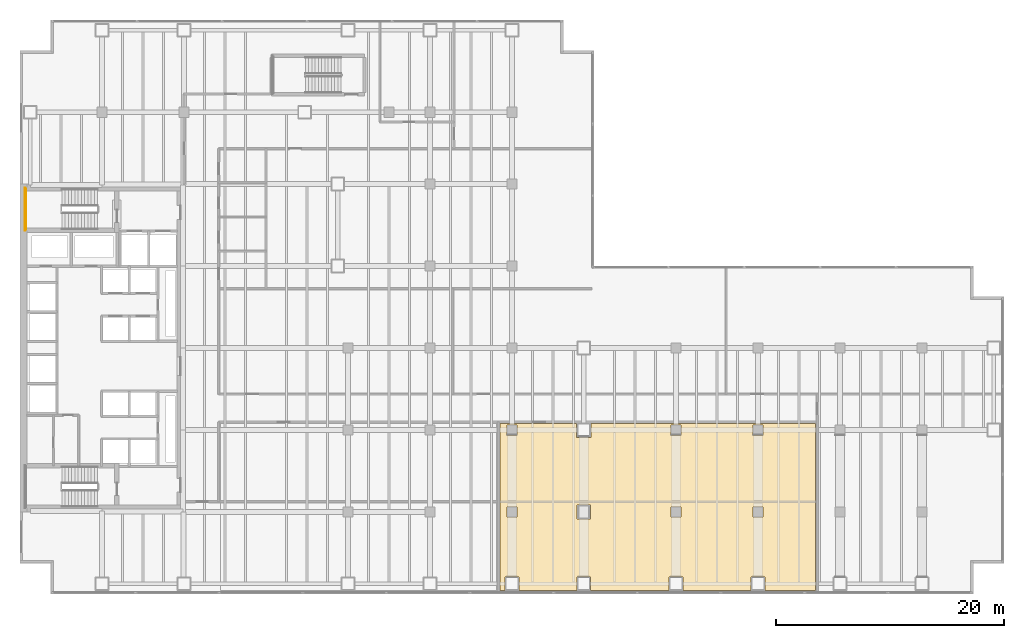
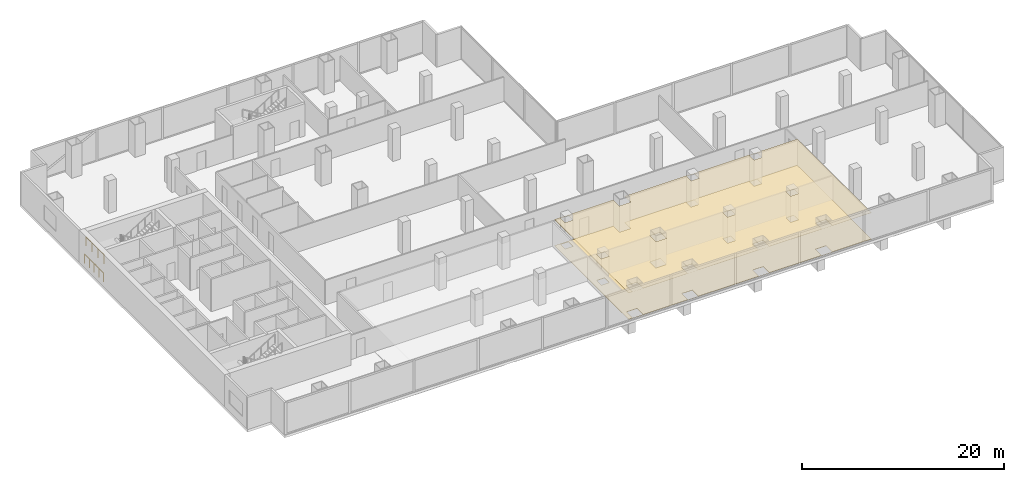
# One storey, part 33 of 34: 2 coverings, 2 railings.
"""IFC4 building model written with IfcOpenShell, lengths in metres."""

from ifc_helpers import new_model, si_unit, direction, frame, origin, origin_2d, place, context, subcontext, project, spatial, polyline, circle, outline, extrude, material, layer, layer_set, type_object, element, save


model = new_model("IFC4")

# Units and contexts
model_context = context("Model", 3, precision=1e-05, world=origin(), true_north=direction((0.0, 1.0)))
body_context = subcontext(model_context, "Body", "Model", "MODEL_VIEW")
ifc_project = project(units=[si_unit("LENGTHUNIT", "METRE"), si_unit("AREAUNIT", "SQUARE_METRE"), si_unit("VOLUMEUNIT", "CUBIC_METRE"), si_unit("PLANEANGLEUNIT", "RADIAN"), si_unit("MASSUNIT", "GRAM", prefix="KILO")], contexts=[model_context])

# Site, building, storey
site_placement = place(None, origin())
site = spatial("IfcSite", under=ifc_project, at=site_placement, CompositionType="ELEMENT")
building_placement = place(site_placement, origin())
building = spatial("IfcBuilding", under=site, at=building_placement, Name="Cobrela Telecom Tower", CompositionType="ELEMENT")
storey_placement = place(building_placement, frame((0.0, 0.0, 5.25)))
storey = spatial("IfcBuildingStorey", under=building, at=storey_placement, Name="L01", CompositionType="ELEMENT", Elevation=5.25)

# Coverings
ifc_material_1 = material(Name="Mineral Fibre Acoustic Ceiling Tile")
ifc_layer_1 = layer(ifc_material_1, 0.02490234375)
ifc_layer_set_1 = layer_set([ifc_layer_1], Name="Mineral Fibre Acoustic Ceiling Tile")
covering_type_1 = type_object("IfcCoveringType", Name="COV-CEIL-ACT", PredefinedType="CEILING", material=ifc_layer_set_1)
covering_1_placement = place(storey_placement, frame((0.0, 0.0, 3.179931640625)))
element("IfcCovering", 1, at=covering_1_placement, inside=storey, type_object=covering_type_1, Name="L01 Colocation Engineering Studio Suspended Acoustic Ceiling", PredefinedType="CEILING", context=body_context, shape_type="SweptSolid", body=[
    extrude(outline(polyline([(48.85009765625, 13.75), (50.14990234375, 13.75), (50.14990234375, 14.9599609375), (69.860107421875, 14.9599609375), (69.860107421875, 0.2900390625), (42.139892578125, 0.2900390625), (42.139892578125, 14.9599609375), (48.85009765625, 14.9599609375), (48.85009765625, 13.75)]), holes=[polyline([(48.89990234375, 0.300048828125), (50.10009765625, 0.300048828125), (50.10009765625, 1.5), (48.89990234375, 1.5), (48.89990234375, 0.300048828125)]), polyline([(42.60009765625, 0.300048828125), (43.800048828125, 0.300048828125), (43.800048828125, 1.5), (42.60009765625, 1.5), (42.60009765625, 0.300048828125)]), polyline([(50.10009765625, 6.60009765625), (50.10009765625, 7.800048828125), (48.89990234375, 7.800048828125), (48.89990234375, 6.60009765625), (50.10009765625, 6.60009765625)]), polyline([(42.75, 6.75), (43.64990234375, 6.75), (43.64990234375, 7.64990234375), (42.75, 7.64990234375), (42.75, 6.75)]), polyline([(42.75, 13.949951171875), (43.64990234375, 13.949951171875), (43.64990234375, 14.85009765625), (42.75, 14.85009765625), (42.75, 13.949951171875)]), polyline([(57.0, 0.300048828125), (58.199951171875, 0.300048828125), (58.199951171875, 1.5), (57.0, 1.5), (57.0, 0.300048828125)]), polyline([(64.199951171875, 0.300048828125), (65.39990234375, 0.300048828125), (65.39990234375, 1.5), (64.199951171875, 1.5), (64.199951171875, 0.300048828125)]), polyline([(58.050048828125, 6.75), (58.050048828125, 7.64990234375), (57.14990234375, 7.64990234375), (57.14990234375, 6.75), (58.050048828125, 6.75)]), polyline([(64.35009765625, 6.75), (65.25, 6.75), (65.25, 7.64990234375), (64.35009765625, 7.64990234375), (64.35009765625, 6.75)]), polyline([(64.35009765625, 13.949951171875), (65.25, 13.949951171875), (65.25, 14.85009765625), (64.35009765625, 14.85009765625), (64.35009765625, 13.949951171875)]), polyline([(57.14990234375, 13.949951171875), (58.050048828125, 13.949951171875), (58.050048828125, 14.85009765625), (57.14990234375, 14.85009765625), (57.14990234375, 13.949951171875)])]), origin(), (0.0, 0.0, 1.0), 0.025146484375),
])
ifc_material_2 = material(Name="Honed Colombian Basalt Stone", Category="masonry")
ifc_layer_2 = layer(ifc_material_2, 0.0400390625)
ifc_layer_set_2 = layer_set([ifc_layer_2], Name="Honed Colombian Basalt Stone")
covering_type_2 = type_object("IfcCoveringType", Name="COV-FLR-STONE", PredefinedType="FLOORING", material=ifc_layer_set_2)
covering_2_placement = place(storey_placement, origin())
element("IfcCovering", 2, at=covering_2_placement, inside=storey, type_object=covering_type_2, Name="L01 Colocation Engineering Studio Raised Technical Flooring", PredefinedType="FLOORING", context=body_context, shape_type="SweptSolid", body=[
    extrude(outline(polyline([(48.85009765625, 13.75), (50.14990234375, 13.75), (50.14990234375, 14.9599609375), (69.860107421875, 14.9599609375), (69.860107421875, 0.2900390625), (42.139892578125, 0.2900390625), (42.139892578125, 14.9599609375), (48.85009765625, 14.9599609375), (48.85009765625, 13.75)]), holes=[polyline([(48.89990234375, 0.300048828125), (50.10009765625, 0.300048828125), (50.10009765625, 1.5), (48.89990234375, 1.5), (48.89990234375, 0.300048828125)]), polyline([(42.60009765625, 0.300048828125), (43.800048828125, 0.300048828125), (43.800048828125, 1.5), (42.60009765625, 1.5), (42.60009765625, 0.300048828125)]), polyline([(50.10009765625, 6.60009765625), (50.10009765625, 7.800048828125), (48.89990234375, 7.800048828125), (48.89990234375, 6.60009765625), (50.10009765625, 6.60009765625)]), polyline([(42.75, 6.75), (43.64990234375, 6.75), (43.64990234375, 7.64990234375), (42.75, 7.64990234375), (42.75, 6.75)]), polyline([(42.75, 13.949951171875), (43.64990234375, 13.949951171875), (43.64990234375, 14.85009765625), (42.75, 14.85009765625), (42.75, 13.949951171875)]), polyline([(57.0, 0.300048828125), (58.199951171875, 0.300048828125), (58.199951171875, 1.5), (57.0, 1.5), (57.0, 0.300048828125)]), polyline([(64.199951171875, 0.300048828125), (65.39990234375, 0.300048828125), (65.39990234375, 1.5), (64.199951171875, 1.5), (64.199951171875, 0.300048828125)]), polyline([(58.050048828125, 6.75), (58.050048828125, 7.64990234375), (57.14990234375, 7.64990234375), (57.14990234375, 6.75), (58.050048828125, 6.75)]), polyline([(64.35009765625, 6.75), (65.25, 6.75), (65.25, 7.64990234375), (64.35009765625, 7.64990234375), (64.35009765625, 6.75)]), polyline([(64.35009765625, 13.949951171875), (65.25, 13.949951171875), (65.25, 14.85009765625), (64.35009765625, 14.85009765625), (64.35009765625, 13.949951171875)]), polyline([(57.14990234375, 13.949951171875), (58.050048828125, 13.949951171875), (58.050048828125, 14.85009765625), (57.14990234375, 14.85009765625), (57.14990234375, 13.949951171875)])]), origin(), (0.0, 0.0, 1.0), 0.0400390625),
])

# Railings
ifc_material_3 = material(Name="Steel ASTM A36", Category="steel")
railing_type = type_object("IfcRailingType", Name="RAIL-GUARD-1100", PredefinedType="GUARDRAIL", material=ifc_material_3)
railing_1_placement = place(storey_placement, frame((0.530029296875, 35.550048828125, 2.10009765625)))
element("IfcRailing", 3, at=railing_1_placement, inside=storey, type_object=railing_type, Name="L01 ST1 stair guard 3", PredefinedType="GUARDRAIL", context=body_context, shape_type="SweptSolid", body=[
    extrude(circle(Radius=0.02392578125, at=origin_2d()), frame((0.0, 0.0, 1.076171875), z_axis=(0.0, -1.0, 0.0), x_axis=(1.0, 0.0, 0.0)), (0.0, 0.0, 1.0), 3.550048828125),
    extrude(circle(Radius=0.02099609375, at=origin_2d()), origin(), (0.0, 0.0, 1.0), 1.052001953125),
    extrude(circle(Radius=0.02099609375, at=origin_2d()), frame((0.0, -1.183349609375, 0.0)), (0.0, 0.0, 1.0), 1.052001953125),
    extrude(circle(Radius=0.02099609375, at=origin_2d()), frame((0.0, -2.36669921875, 0.0)), (0.0, 0.0, 1.0), 1.052001953125),
    extrude(circle(Radius=0.02099609375, at=origin_2d()), frame((0.0, -3.550048828125, 0.0)), (0.0, 0.0, 1.0), 1.052001953125),
])
railing_2_placement = place(storey_placement, frame((0.429931640625, 35.64990234375, 0.0)))
element("IfcRailing", 4, at=railing_2_placement, inside=storey, type_object=railing_type, Name="L01 ST1 stair guard 6", PredefinedType="GUARDRAIL", context=body_context, shape_type="SweptSolid", body=[
    extrude(circle(Radius=0.02392578125, at=origin_2d()), frame((0.0, 0.0, 1.076171875), z_axis=(0.0, -1.0, 0.0), x_axis=(1.0, 0.0, 0.0)), (0.0, 0.0, 1.0), 3.75),
    extrude(circle(Radius=0.02099609375, at=origin_2d()), origin(), (0.0, 0.0, 1.0), 1.052001953125),
    extrude(circle(Radius=0.02099609375, at=origin_2d()), frame((0.0, -0.9375, 0.0)), (0.0, 0.0, 1.0), 1.052001953125),
    extrude(circle(Radius=0.02099609375, at=origin_2d()), frame((0.0, -1.875, 0.0)), (0.0, 0.0, 1.0), 1.052001953125),
    extrude(circle(Radius=0.02099609375, at=origin_2d()), frame((0.0, -2.8125, 0.0)), (0.0, 0.0, 1.0), 1.052001953125),
    extrude(circle(Radius=0.02099609375, at=origin_2d()), frame((0.0, -3.75, 0.0)), (0.0, 0.0, 1.0), 1.052001953125),
])

save(model, "model.ifc")
